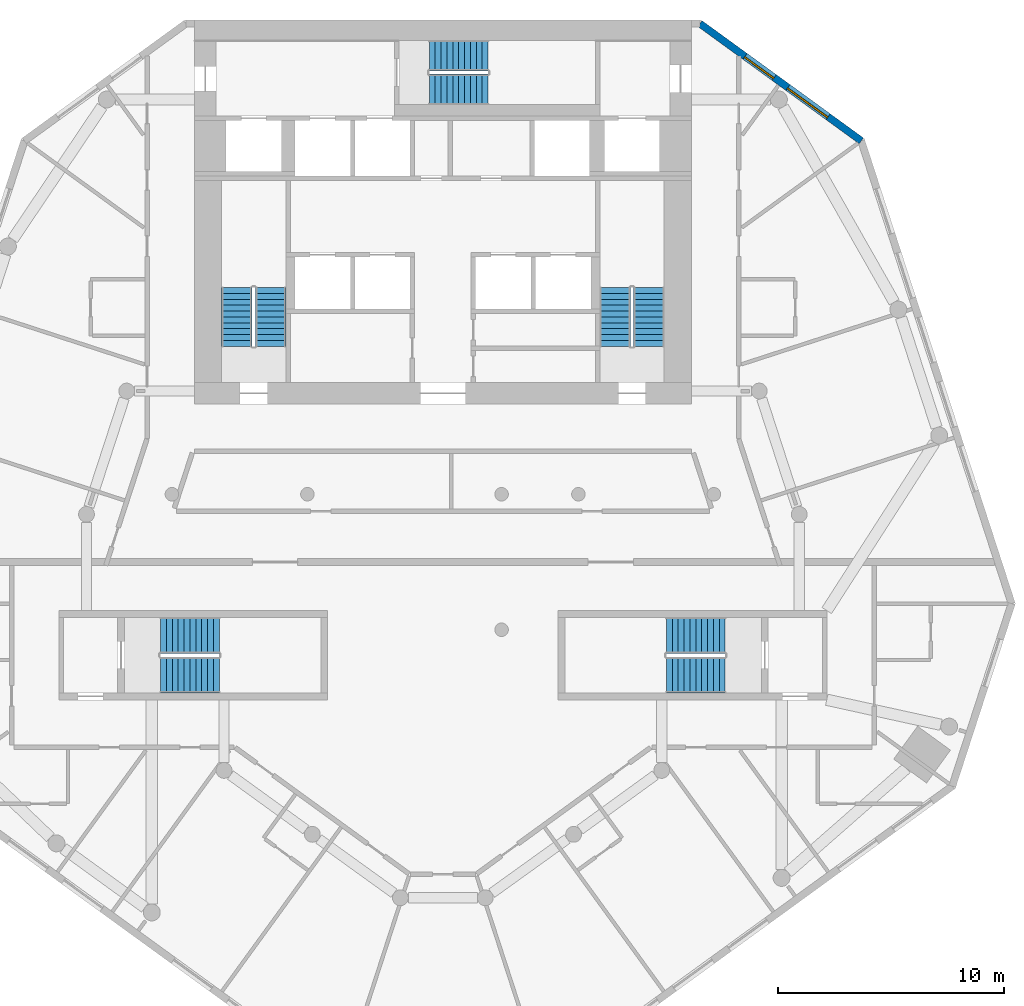
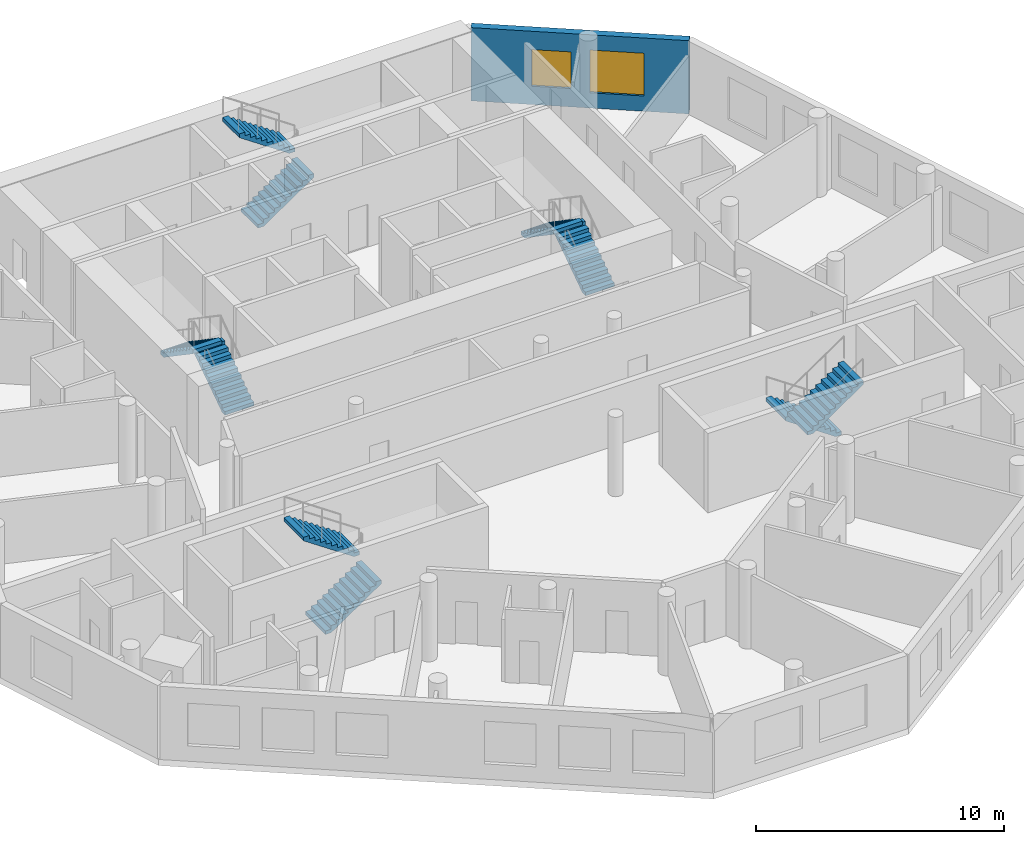
# One storey, part 7 of 9: 10 stair flights, 2 windows, 1 wall, 2 openings, 5 elements without a shape of their own.
"""IFC4 building model written with IfcOpenShell, lengths in metres."""

from ifc_helpers import new_model, si_unit, direction, frame, frame_2d, origin, place, context, subcontext, project, spatial, polyline, rectangle, outline, extrude, material, layer, layer_set, type_object, element, fill, aggregate, save


model = new_model("IFC4")

# Units and contexts
model_context = context("Model", 3, precision=1e-05, world=origin(), true_north=direction((0.0, 1.0)))
body_context = subcontext(model_context, "Body", "Model", "MODEL_VIEW")
ifc_project = project(units=[si_unit("LENGTHUNIT", "METRE"), si_unit("AREAUNIT", "SQUARE_METRE"), si_unit("VOLUMEUNIT", "CUBIC_METRE"), si_unit("PLANEANGLEUNIT", "RADIAN"), si_unit("MASSUNIT", "GRAM", prefix="KILO")], contexts=[model_context])

# Site, building, storey
site_placement = place(None, origin())
site = spatial("IfcSite", under=ifc_project, at=site_placement, CompositionType="ELEMENT")
building_placement = place(site_placement, origin())
building = spatial("IfcBuilding", under=site, at=building_placement, Name="White Candle Pilgrim Tower", CompositionType="ELEMENT")
storey_placement = place(building_placement, frame((0.0, 0.0, 164.199951171875)))
storey = spatial("IfcBuildingStorey", under=building, at=storey_placement, Name="L37", CompositionType="ELEMENT", Elevation=164.199951171875)

# Wall, openings, windows
ifc_material_1 = material(Name="Precast concrete C40/50", Category="concrete")
ifc_layer_1 = layer(ifc_material_1, 0.320068359375)
ifc_layer_set_1 = layer_set([ifc_layer_1], Name="Facade wall EW1 precast concrete C40/50 pier wall with timber-lined reveals")
wall_type = type_object("IfcWallType", Name="Facade wall EW1 precast concrete C40/50 pier wall with timber-lined reveals", PredefinedType="SOLIDWALL", material=ifc_layer_set_1)
wall_placement = place(storey_placement, frame((88.529052734375, 82.649658203125, 0.0), z_axis=(0.0, 0.0, 1.0), x_axis=(-0.809018144148, 0.587783669762, 0.0)))
wall = element("IfcWall", 1, at=wall_placement, inside=storey, type_object=wall_type, Name="Facade wall L37 NE chamfer", PredefinedType="SOLIDWALL", context=body_context, shape_type="SweptSolid", body=[
    extrude(rectangle(XDim=8.83056640625, YDim=0.320068359375, at=frame_2d((4.415283203125, 0.0))), origin(), (0.0, 0.0, 1.0), 3.60009765625),
])
opening_1_placement = place(wall_placement, frame((1.815185546875, 0.0, 0.75)))
opening_1 = element("IfcOpeningElement", 2, at=opening_1_placement, cuts=wall, Name="Opening W4", PredefinedType="OPENING", context=body_context, shape_type="SweptSolid", body=[
    extrude(rectangle(XDim=2.199951171875, YDim=2.10009765625, at=frame_2d((1.10009765625, 1.050048828125))), frame((0.0, 0.169921875, 0.0), z_axis=(0.0, -1.0, 0.0), x_axis=(1.0, 0.0, 0.0)), (0.0, 0.0, 1.0), 0.340087890625),
])
opening_2_placement = place(wall_placement, frame((4.76513671875, 0.0, 0.89990234375)))
opening_2 = element("IfcOpeningElement", 3, at=opening_2_placement, cuts=wall, Name="Opening W2", PredefinedType="OPENING", context=body_context, shape_type="SweptSolid", body=[
    extrude(rectangle(XDim=1.60009765625, YDim=1.800048828125, at=frame_2d((0.800048828125, 0.89990234375))), frame((0.0, 0.169921875, 0.0), z_axis=(0.0, -1.0, 0.0), x_axis=(1.0, 0.0, 0.0)), (0.0, 0.0, 1.0), 0.340087890625),
])
ifc_material_2 = material(Name="Timber frame with triple glazing", Category="wood")
window_type_1 = type_object("IfcWindowType", Name="Window W2 1600x1800 timber frame triple glazing", PartitioningType="SINGLE_PANEL", PredefinedType="WINDOW", material=ifc_material_2)
window_1_placement = place(opening_2_placement, origin())
window_1 = element("IfcWindow", 4, at=window_1_placement, inside=storey, type_object=window_type_1, Name="Window W2 L37 NE chamfer 2", OverallHeight=1.800048828125, OverallWidth=1.60009765625, PartitioningType="SINGLE_PANEL", PredefinedType="WINDOW", context=body_context, shape_type="SweptSolid", body=[
    extrude(rectangle(XDim=1.60009765625, YDim=1.800048828125, at=frame_2d((0.800048828125, 0.89990234375))), frame((0.0, 0.070068359375, 0.0), z_axis=(0.0, -1.0, 0.0), x_axis=(1.0, 0.0, 0.0)), (0.0, 0.0, 1.0), 0.06005859375),
])
fill(opening_2, window_1)
window_type_2 = type_object("IfcWindowType", Name="Window W4 2200x2100 timber frame triple glazing", PartitioningType="SINGLE_PANEL", PredefinedType="WINDOW", material=ifc_material_2)
window_2_placement = place(opening_1_placement, origin())
window_2 = element("IfcWindow", 5, at=window_2_placement, inside=storey, type_object=window_type_2, Name="Window W4 L37 NE chamfer 1", OverallHeight=2.10009765625, OverallWidth=2.199951171875, PartitioningType="SINGLE_PANEL", PredefinedType="WINDOW", context=body_context, shape_type="SweptSolid", body=[
    extrude(rectangle(XDim=2.199951171875, YDim=2.10009765625, at=frame_2d((1.10009765625, 1.050048828125))), frame((0.0, 0.070068359375, 0.0), z_axis=(0.0, -1.0, 0.0), x_axis=(1.0, 0.0, 0.0)), (0.0, 0.0, 1.0), 0.06005859375),
])
fill(opening_1, window_2)

# Stair, stair flights
ifc_material_3 = material(Name="Concrete C40/50", Category="concrete")
stair_type_1 = type_object("IfcStairType", Name="Exit stair 1 flight width 1350 mm", PredefinedType="HALF_TURN_STAIR", material=ifc_material_3)
stair_1_placement = place(storey_placement, origin())
stair_1 = element("IfcStair", 6, at=stair_1_placement, inside=storey, type_object=stair_type_1, Name="L37 stair 1", PredefinedType="NOTDEFINED")
ifc_layer_2 = layer(ifc_material_3, 0.14990234375)
ifc_layer_set_2 = layer_set([ifc_layer_2], Name="Stair flight Concrete C40/50")
stair_flight_type = type_object("IfcStairFlightType", Name="Stair flight Concrete C40/50", PredefinedType="STRAIGHT", material=ifc_layer_set_2)
stair_flight_1_placement = place(storey_placement, frame((62.375, 73.550048828125, 0.0), z_axis=(0.0, 0.0, 1.0), x_axis=(0.0, 1.0, 0.0)))
stair_flight_1 = element("IfcStairFlight", 7, at=stair_flight_1_placement, type_object=stair_flight_type, Name="ST1 flight 1", NumberOfRisers=11, NumberOfTreads=10, PredefinedType="NOTDEFINED", RiserHeight=0.177272727, TreadLength=0.26, context=body_context, shape_type="SweptSolid", body=[
    extrude(outline(polyline([(0.0, 0.0), (0.0, 0.17724609375), (0.260009765625, 0.17724609375), (0.260009765625, 0.3544921875), (0.52001953125, 0.3544921875), (0.52001953125, 0.53173828125), (0.780029296875, 0.53173828125), (0.780029296875, 0.708984375), (1.0400390625, 0.708984375), (1.0400390625, 0.886474609375), (1.300048828125, 0.886474609375), (1.300048828125, 1.063720703125), (1.56005859375, 1.063720703125), (1.56005859375, 1.240966796875), (1.820068359375, 1.240966796875), (1.820068359375, 1.418212890625), (2.080078125, 1.418212890625), (2.080078125, 1.595458984375), (2.340087890625, 1.595458984375), (2.340087890625, 1.772705078125), (2.60009765625, 1.772705078125), (2.60009765625, 1.949951171875), (2.60009765625, 1.59130859375), (0.26611328125, 0.0), (0.0, 0.0)])), frame((0.0, 0.675048828125, 0.0), z_axis=(0.0, -1.0, 0.0), x_axis=(1.0, 0.0, 0.0)), (0.0, 0.0, 1.0), 1.35009765625),
])
stair_flight_2_placement = place(storey_placement, frame((60.875, 76.14990234375, 1.949951171875), z_axis=(0.0, 0.0, 1.0), x_axis=(0.0, -1.0, 0.0)))
stair_flight_2 = element("IfcStairFlight", 8, at=stair_flight_2_placement, type_object=stair_flight_type, Name="ST1 flight 2", NumberOfRisers=11, NumberOfTreads=10, PredefinedType="NOTDEFINED", RiserHeight=0.177272727, TreadLength=0.26, context=body_context, shape_type="SweptSolid", body=[
    extrude(outline(polyline([(0.0, 0.0), (0.0, 0.17724609375), (0.260009765625, 0.17724609375), (0.260009765625, 0.3544921875), (0.52001953125, 0.3544921875), (0.52001953125, 0.53173828125), (0.780029296875, 0.53173828125), (0.780029296875, 0.708984375), (1.0400390625, 0.708984375), (1.0400390625, 0.886474609375), (1.300048828125, 0.886474609375), (1.300048828125, 1.063720703125), (1.56005859375, 1.063720703125), (1.56005859375, 1.240966796875), (1.820068359375, 1.240966796875), (1.820068359375, 1.418212890625), (2.080078125, 1.418212890625), (2.080078125, 1.595458984375), (2.340087890625, 1.595458984375), (2.340087890625, 1.772705078125), (2.60009765625, 1.772705078125), (2.60009765625, 1.949951171875), (2.60009765625, 1.59130859375), (0.26611328125, 0.0), (0.0, 0.0)])), frame((0.0, 0.675048828125, 0.0), z_axis=(0.0, -1.0, 0.0), x_axis=(1.0, 0.0, 0.0)), (0.0, 0.0, 1.0), 1.35009765625),
])
aggregate(stair_1, [stair_flight_1, stair_flight_2])

stair_type_2 = type_object("IfcStairType", Name="Exit stair 2 flight width 1350 mm", PredefinedType="HALF_TURN_STAIR", material=ifc_material_3)
stair_2_placement = place(storey_placement, origin())
stair_2 = element("IfcStair", 9, at=stair_2_placement, inside=storey, type_object=stair_type_2, Name="L37 stair 2", PredefinedType="NOTDEFINED")
stair_flight_3_placement = place(storey_placement, frame((79.125, 73.550048828125, 0.0), z_axis=(0.0, 0.0, 1.0), x_axis=(0.0, 1.0, 0.0)))
stair_flight_3 = element("IfcStairFlight", 10, at=stair_flight_3_placement, type_object=stair_flight_type, Name="ST2 flight 1", NumberOfRisers=11, NumberOfTreads=10, PredefinedType="NOTDEFINED", RiserHeight=0.177272727, TreadLength=0.26, context=body_context, shape_type="SweptSolid", body=[
    extrude(outline(polyline([(0.0, 0.0), (0.0, 0.17724609375), (0.260009765625, 0.17724609375), (0.260009765625, 0.3544921875), (0.52001953125, 0.3544921875), (0.52001953125, 0.53173828125), (0.780029296875, 0.53173828125), (0.780029296875, 0.708984375), (1.0400390625, 0.708984375), (1.0400390625, 0.886474609375), (1.300048828125, 0.886474609375), (1.300048828125, 1.063720703125), (1.56005859375, 1.063720703125), (1.56005859375, 1.240966796875), (1.820068359375, 1.240966796875), (1.820068359375, 1.418212890625), (2.080078125, 1.418212890625), (2.080078125, 1.595458984375), (2.340087890625, 1.595458984375), (2.340087890625, 1.772705078125), (2.60009765625, 1.772705078125), (2.60009765625, 1.949951171875), (2.60009765625, 1.59130859375), (0.26611328125, 0.0), (0.0, 0.0)])), frame((0.0, 0.675048828125, 0.0), z_axis=(0.0, -1.0, 0.0), x_axis=(1.0, 0.0, 0.0)), (0.0, 0.0, 1.0), 1.35009765625),
])
stair_flight_4_placement = place(storey_placement, frame((77.625, 76.14990234375, 1.949951171875), z_axis=(0.0, 0.0, 1.0), x_axis=(0.0, -1.0, 0.0)))
stair_flight_4 = element("IfcStairFlight", 11, at=stair_flight_4_placement, type_object=stair_flight_type, Name="ST2 flight 2", NumberOfRisers=11, NumberOfTreads=10, PredefinedType="NOTDEFINED", RiserHeight=0.177272727, TreadLength=0.26, context=body_context, shape_type="SweptSolid", body=[
    extrude(outline(polyline([(0.0, 0.0), (0.0, 0.17724609375), (0.260009765625, 0.17724609375), (0.260009765625, 0.3544921875), (0.52001953125, 0.3544921875), (0.52001953125, 0.53173828125), (0.780029296875, 0.53173828125), (0.780029296875, 0.708984375), (1.0400390625, 0.708984375), (1.0400390625, 0.886474609375), (1.300048828125, 0.886474609375), (1.300048828125, 1.063720703125), (1.56005859375, 1.063720703125), (1.56005859375, 1.240966796875), (1.820068359375, 1.240966796875), (1.820068359375, 1.418212890625), (2.080078125, 1.418212890625), (2.080078125, 1.595458984375), (2.340087890625, 1.595458984375), (2.340087890625, 1.772705078125), (2.60009765625, 1.772705078125), (2.60009765625, 1.949951171875), (2.60009765625, 1.59130859375), (0.26611328125, 0.0), (0.0, 0.0)])), frame((0.0, 0.675048828125, 0.0), z_axis=(0.0, -1.0, 0.0), x_axis=(1.0, 0.0, 0.0)), (0.0, 0.0, 1.0), 1.35009765625),
])
aggregate(stair_2, [stair_flight_3, stair_flight_4])

stair_type_3 = type_object("IfcStairType", Name="Exit stair 3 flight width 1350 mm", PredefinedType="HALF_TURN_STAIR", material=ifc_material_3)
stair_3_placement = place(storey_placement, origin())
stair_3 = element("IfcStair", 12, at=stair_3_placement, inside=storey, type_object=stair_type_3, Name="L37 stair 3", PredefinedType="NOTDEFINED")
stair_flight_5_placement = place(storey_placement, frame((69.39990234375, 84.925048828125, 0.0), z_axis=(0.0, 0.0, 1.0), x_axis=(1.0, 0.0, 0.0)))
stair_flight_5 = element("IfcStairFlight", 13, at=stair_flight_5_placement, type_object=stair_flight_type, Name="ST3 flight 1", NumberOfRisers=11, NumberOfTreads=10, PredefinedType="NOTDEFINED", RiserHeight=0.177272727, TreadLength=0.26, context=body_context, shape_type="SweptSolid", body=[
    extrude(outline(polyline([(0.0, 0.0), (0.0, 0.17724609375), (0.260009765625, 0.17724609375), (0.260009765625, 0.3544921875), (0.52001953125, 0.3544921875), (0.52001953125, 0.53173828125), (0.780029296875, 0.53173828125), (0.780029296875, 0.708984375), (1.0400390625, 0.708984375), (1.0400390625, 0.886474609375), (1.300048828125, 0.886474609375), (1.300048828125, 1.063720703125), (1.56005859375, 1.063720703125), (1.56005859375, 1.240966796875), (1.820068359375, 1.240966796875), (1.820068359375, 1.418212890625), (2.080078125, 1.418212890625), (2.080078125, 1.595458984375), (2.340087890625, 1.595458984375), (2.340087890625, 1.772705078125), (2.60009765625, 1.772705078125), (2.60009765625, 1.949951171875), (2.60009765625, 1.59130859375), (0.26611328125, 0.0), (0.0, 0.0)])), frame((0.0, 0.675048828125, 0.0), z_axis=(0.0, -1.0, 0.0), x_axis=(1.0, 0.0, 0.0)), (0.0, 0.0, 1.0), 1.35009765625),
])
stair_flight_6_placement = place(storey_placement, frame((72.0, 86.425048828125, 1.949951171875), z_axis=(0.0, 0.0, 1.0), x_axis=(-1.0, 0.0, 0.0)))
stair_flight_6 = element("IfcStairFlight", 14, at=stair_flight_6_placement, type_object=stair_flight_type, Name="ST3 flight 2", NumberOfRisers=11, NumberOfTreads=10, PredefinedType="NOTDEFINED", RiserHeight=0.177272727, TreadLength=0.26, context=body_context, shape_type="SweptSolid", body=[
    extrude(outline(polyline([(0.0, 0.0), (0.0, 0.17724609375), (0.260009765625, 0.17724609375), (0.260009765625, 0.3544921875), (0.52001953125, 0.3544921875), (0.52001953125, 0.53173828125), (0.780029296875, 0.53173828125), (0.780029296875, 0.708984375), (1.0400390625, 0.708984375), (1.0400390625, 0.886474609375), (1.300048828125, 0.886474609375), (1.300048828125, 1.063720703125), (1.56005859375, 1.063720703125), (1.56005859375, 1.240966796875), (1.820068359375, 1.240966796875), (1.820068359375, 1.418212890625), (2.080078125, 1.418212890625), (2.080078125, 1.595458984375), (2.340087890625, 1.595458984375), (2.340087890625, 1.772705078125), (2.60009765625, 1.772705078125), (2.60009765625, 1.949951171875), (2.60009765625, 1.59130859375), (0.26611328125, 0.0), (0.0, 0.0)])), frame((0.0, 0.675048828125, 0.0), z_axis=(0.0, -1.0, 0.0), x_axis=(1.0, 0.0, 0.0)), (0.0, 0.0, 1.0), 1.35009765625),
])
aggregate(stair_3, [stair_flight_5, stair_flight_6])

stair_type_4 = type_object("IfcStairType", Name="Exit stair 4 flight width 1600 mm", PredefinedType="HALF_TURN_STAIR", material=ifc_material_3)
stair_4_placement = place(storey_placement, origin())
stair_4 = element("IfcStair", 15, at=stair_4_placement, inside=storey, type_object=stair_type_4, Name="L37 stair 4", PredefinedType="NOTDEFINED")
stair_flight_7_placement = place(storey_placement, frame((82.5, 60.75, 0.0), z_axis=(0.0, 0.0, 1.0), x_axis=(-1.0, 0.0, 0.0)))
stair_flight_7 = element("IfcStairFlight", 16, at=stair_flight_7_placement, type_object=stair_flight_type, Name="ST4 flight 1", NumberOfRisers=11, NumberOfTreads=10, PredefinedType="NOTDEFINED", RiserHeight=0.177272727, TreadLength=0.26, context=body_context, shape_type="SweptSolid", body=[
    extrude(outline(polyline([(0.0, 0.0), (0.0, 0.17724609375), (0.260009765625, 0.17724609375), (0.260009765625, 0.3544921875), (0.52001953125, 0.3544921875), (0.52001953125, 0.53173828125), (0.780029296875, 0.53173828125), (0.780029296875, 0.708984375), (1.0400390625, 0.708984375), (1.0400390625, 0.886474609375), (1.300048828125, 0.886474609375), (1.300048828125, 1.063720703125), (1.56005859375, 1.063720703125), (1.56005859375, 1.240966796875), (1.820068359375, 1.240966796875), (1.820068359375, 1.418212890625), (2.080078125, 1.418212890625), (2.080078125, 1.595458984375), (2.340087890625, 1.595458984375), (2.340087890625, 1.772705078125), (2.60009765625, 1.772705078125), (2.60009765625, 1.949951171875), (2.60009765625, 1.59130859375), (0.26611328125, 0.0), (0.0, 0.0)])), frame((0.0, 0.800048828125, 0.0), z_axis=(0.0, -1.0, 0.0), x_axis=(1.0, 0.0, 0.0)), (0.0, 0.0, 1.0), 1.60009765625),
])
stair_flight_8_placement = place(storey_placement, frame((79.89990234375, 59.0, 1.949951171875), z_axis=(0.0, 0.0, 1.0), x_axis=(1.0, 0.0, 0.0)))
stair_flight_8 = element("IfcStairFlight", 17, at=stair_flight_8_placement, type_object=stair_flight_type, Name="ST4 flight 2", NumberOfRisers=11, NumberOfTreads=10, PredefinedType="NOTDEFINED", RiserHeight=0.177272727, TreadLength=0.26, context=body_context, shape_type="SweptSolid", body=[
    extrude(outline(polyline([(0.0, 0.0), (0.0, 0.17724609375), (0.260009765625, 0.17724609375), (0.260009765625, 0.3544921875), (0.52001953125, 0.3544921875), (0.52001953125, 0.53173828125), (0.780029296875, 0.53173828125), (0.780029296875, 0.708984375), (1.0400390625, 0.708984375), (1.0400390625, 0.886474609375), (1.300048828125, 0.886474609375), (1.300048828125, 1.063720703125), (1.56005859375, 1.063720703125), (1.56005859375, 1.240966796875), (1.820068359375, 1.240966796875), (1.820068359375, 1.418212890625), (2.080078125, 1.418212890625), (2.080078125, 1.595458984375), (2.340087890625, 1.595458984375), (2.340087890625, 1.772705078125), (2.60009765625, 1.772705078125), (2.60009765625, 1.949951171875), (2.60009765625, 1.59130859375), (0.26611328125, 0.0), (0.0, 0.0)])), frame((0.0, 0.800048828125, 0.0), z_axis=(0.0, -1.0, 0.0), x_axis=(1.0, 0.0, 0.0)), (0.0, 0.0, 1.0), 1.60009765625),
])
aggregate(stair_4, [stair_flight_7, stair_flight_8])

stair_type_5 = type_object("IfcStairType", Name="Exit stair 5 flight width 1600 mm", PredefinedType="HALF_TURN_STAIR", material=ifc_material_3)
stair_5_placement = place(storey_placement, origin())
stair_5 = element("IfcStair", 18, at=stair_5_placement, inside=storey, type_object=stair_type_5, Name="L37 stair 5", PredefinedType="NOTDEFINED")
stair_flight_9_placement = place(storey_placement, frame((57.5, 59.0, 0.0), z_axis=(0.0, 0.0, 1.0), x_axis=(1.0, 0.0, 0.0)))
stair_flight_9 = element("IfcStairFlight", 19, at=stair_flight_9_placement, type_object=stair_flight_type, Name="ST5 flight 1", NumberOfRisers=11, NumberOfTreads=10, PredefinedType="NOTDEFINED", RiserHeight=0.177272727, TreadLength=0.26, context=body_context, shape_type="SweptSolid", body=[
    extrude(outline(polyline([(0.0, 0.0), (0.0, 0.17724609375), (0.260009765625, 0.17724609375), (0.260009765625, 0.3544921875), (0.52001953125, 0.3544921875), (0.52001953125, 0.53173828125), (0.780029296875, 0.53173828125), (0.780029296875, 0.708984375), (1.0400390625, 0.708984375), (1.0400390625, 0.886474609375), (1.300048828125, 0.886474609375), (1.300048828125, 1.063720703125), (1.56005859375, 1.063720703125), (1.56005859375, 1.240966796875), (1.820068359375, 1.240966796875), (1.820068359375, 1.418212890625), (2.080078125, 1.418212890625), (2.080078125, 1.595458984375), (2.340087890625, 1.595458984375), (2.340087890625, 1.772705078125), (2.60009765625, 1.772705078125), (2.60009765625, 1.949951171875), (2.60009765625, 1.59130859375), (0.26611328125, 0.0), (0.0, 0.0)])), frame((0.0, 0.800048828125, 0.0), z_axis=(0.0, -1.0, 0.0), x_axis=(1.0, 0.0, 0.0)), (0.0, 0.0, 1.0), 1.60009765625),
])
stair_flight_10_placement = place(storey_placement, frame((60.10009765625, 60.75, 1.949951171875), z_axis=(0.0, 0.0, 1.0), x_axis=(-1.0, 0.0, 0.0)))
stair_flight_10 = element("IfcStairFlight", 20, at=stair_flight_10_placement, type_object=stair_flight_type, Name="ST5 flight 2", NumberOfRisers=11, NumberOfTreads=10, PredefinedType="NOTDEFINED", RiserHeight=0.177272727, TreadLength=0.26, context=body_context, shape_type="SweptSolid", body=[
    extrude(outline(polyline([(0.0, 0.0), (0.0, 0.17724609375), (0.260009765625, 0.17724609375), (0.260009765625, 0.3544921875), (0.52001953125, 0.3544921875), (0.52001953125, 0.53173828125), (0.780029296875, 0.53173828125), (0.780029296875, 0.708984375), (1.0400390625, 0.708984375), (1.0400390625, 0.886474609375), (1.300048828125, 0.886474609375), (1.300048828125, 1.063720703125), (1.56005859375, 1.063720703125), (1.56005859375, 1.240966796875), (1.820068359375, 1.240966796875), (1.820068359375, 1.418212890625), (2.080078125, 1.418212890625), (2.080078125, 1.595458984375), (2.340087890625, 1.595458984375), (2.340087890625, 1.772705078125), (2.60009765625, 1.772705078125), (2.60009765625, 1.949951171875), (2.60009765625, 1.59130859375), (0.26611328125, 0.0), (0.0, 0.0)])), frame((0.0, 0.800048828125, 0.0), z_axis=(0.0, -1.0, 0.0), x_axis=(1.0, 0.0, 0.0)), (0.0, 0.0, 1.0), 1.60009765625),
])
aggregate(stair_5, [stair_flight_9, stair_flight_10])

save(model, "model.ifc")
